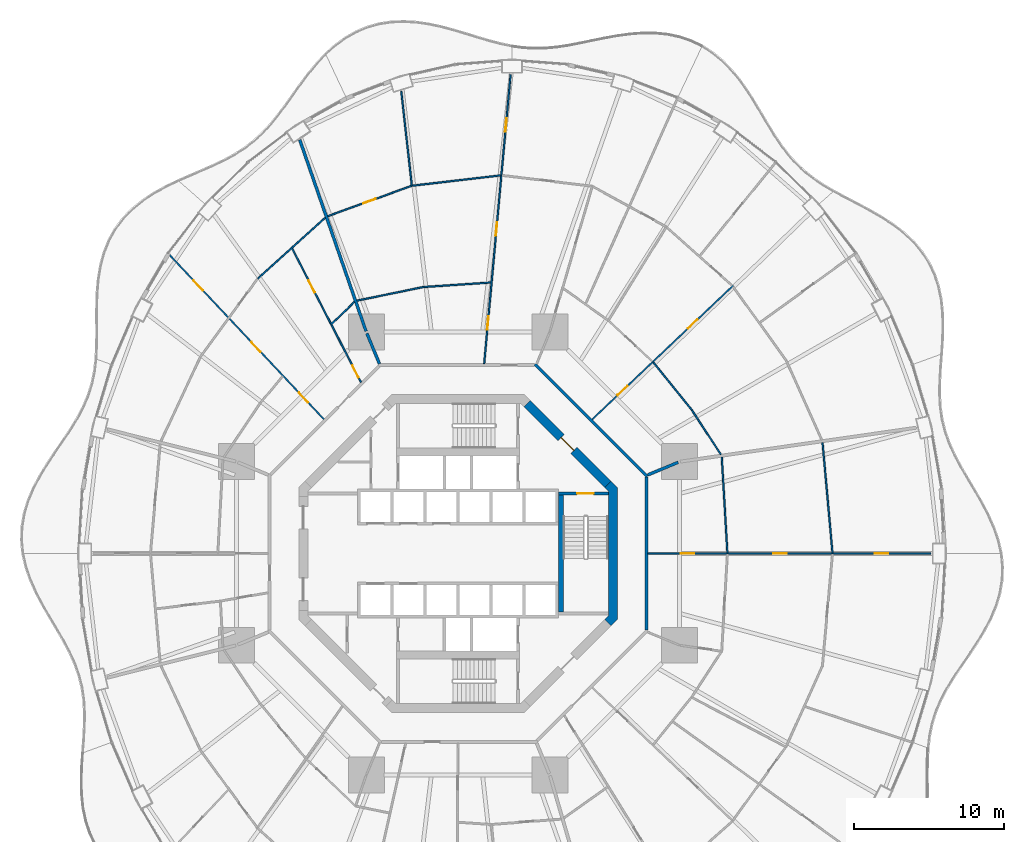
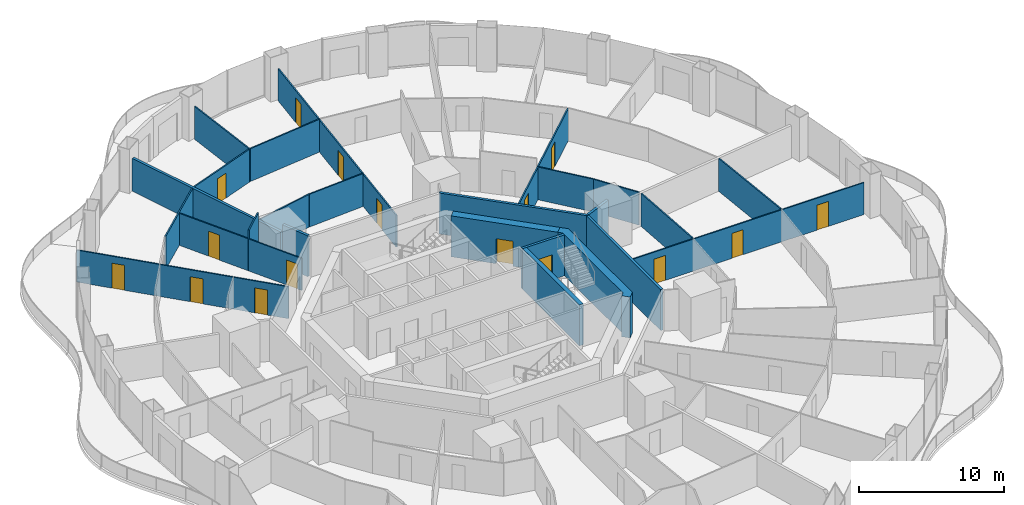
# One storey, part 18 of 23: 25 walls, 16 doors, 16 openings.
"""IFC4 building model written with IfcOpenShell, lengths in metres."""

import ifcopenshell
import ifcopenshell.guid

model = None  # the IFC model being written
_history = None  # IfcOwnerHistory: only IFC2X3 demands one
_inside = {}  # id of a spatial element -> (the spatial element, [elements in it])
_under = {}  # id of a project, library or spatial element -> (it, [spatial elements below it])
_declared = {}  # id of a project -> (the project, [libraries it declares])
_typed = {}  # id of a type object -> (the type object, [elements of that type])
_made_of = {}  # id of a material, layer set ... -> (it, [elements and type objects made of it])


def new_model(schema):
    """Start an empty IFC model of exactly this schema.

    Asked for "IFC4X3", IfcOpenShell would pick the latest addendum, in which some entities
    have other attributes; the version numbers below select the first issue.
    IFC2X3 requires an IfcOwnerHistory on every rooted entity: one is made here for all.
    """
    global model, _history
    if schema == "IFC4X3":
        model = ifcopenshell.file(schema_version=(4, 3, 0, 0))
    else:
        model = ifcopenshell.file(schema=schema)
    _inside.clear()
    _under.clear()
    _declared.clear()
    _typed.clear()
    _made_of.clear()
    _history = None
    if model.schema == "IFC2X3":
        org = make("IfcOrganization", Name="unknown")
        user = make(
            "IfcPersonAndOrganization",
            ThePerson=make("IfcPerson", FamilyName="unknown"),
            TheOrganization=org,
        )
        app = make(
            "IfcApplication",
            ApplicationDeveloper=org,
            Version="unknown",
            ApplicationFullName="unknown",
            ApplicationIdentifier="unknown",
        )
        _history = make(
            "IfcOwnerHistory",
            OwningUser=user,
            OwningApplication=app,
            ChangeAction="ADDED",
            CreationDate=0,
        )
    return model


def make(cls, **values):
    """One entity of the class cls with the attributes given. An attribute that is None is left unset."""
    return model.create_entity(
        cls, **{name: value for name, value in values.items() if value is not None}
    )


def rooted(cls, **values):
    """An entity with a GlobalId (a new one), such as an element, a storey or a relation."""
    return make(cls, GlobalId=ifcopenshell.guid.new(), OwnerHistory=_history, **values)


def si_unit(unit_type, name, prefix=None):
    """IfcSIUnit, for example si_unit("LENGTHUNIT", "METRE", prefix="MILLI")."""
    return make("IfcSIUnit", UnitType=unit_type, Prefix=prefix, Name=name)


def assignment(units):
    """IfcUnitAssignment: the units of a project."""
    return None if units is None else make("IfcUnitAssignment", Units=units)


def point(xyz):
    """IfcCartesianPoint."""
    return None if xyz is None else make("IfcCartesianPoint", Coordinates=xyz)


def direction(xyz):
    """IfcDirection."""
    return None if xyz is None else make("IfcDirection", DirectionRatios=xyz)


def frame(location, z_axis=None, x_axis=None):
    """IfcAxis2Placement3D, a coordinate frame: its origin and axes. An axis left out is left unset."""
    return make(
        "IfcAxis2Placement3D",
        Location=point(location),
        Axis=direction(z_axis),
        RefDirection=direction(x_axis),
    )


def frame_2d(location, x_axis=None):
    """IfcAxis2Placement2D, a coordinate frame in the plane: its origin and x axis."""
    return make(
        "IfcAxis2Placement2D", Location=point(location), RefDirection=direction(x_axis)
    )


def origin():
    """The frame at (0, 0, 0) with its axes left unset."""
    return frame((0.0, 0.0, 0.0))


def place(relative_to, where):
    """IfcLocalPlacement: puts the frame where relative to a parent placement (None: the world)."""
    return make(
        "IfcLocalPlacement", PlacementRelTo=relative_to, RelativePlacement=where
    )


def context(
    kind, dimensions, precision=None, world=None, true_north=None, identifier=None
):
    """IfcGeometricRepresentationContext, for example the 3D "Model" context."""
    return make(
        "IfcGeometricRepresentationContext",
        ContextIdentifier=identifier,
        ContextType=kind,
        CoordinateSpaceDimension=dimensions,
        Precision=precision,
        WorldCoordinateSystem=world,
        TrueNorth=true_north,
    )


def subcontext(parent, identifier, kind, view, scale=None):
    """IfcGeometricRepresentationSubContext, for example "Body" below "Model"."""
    return make(
        "IfcGeometricRepresentationSubContext",
        ContextIdentifier=identifier,
        ContextType=kind,
        ParentContext=parent,
        TargetScale=scale,
        TargetView=view,
    )


def project(units=None, contexts=None):
    """IfcProject with its units and contexts."""
    return rooted(
        "IfcProject",
        Name="project",
        RepresentationContexts=contexts,
        UnitsInContext=assignment(units),
    )


def spatial(cls, under=None, at=None, **own):
    """A site, building, storey or space (cls), placed at a placement, below another one or the project."""
    s = rooted(cls, ObjectPlacement=at, **own)
    if under is not None:
        _under.setdefault(under.id(), (under, []))[1].append(s)
    return s


def polyline(points):
    """IfcPolyline through the points."""
    return make("IfcPolyline", Points=[point(p) for p in points])


def profile(cls, at=None, kind="AREA", **sizes):
    """A parametric profile (cls). Its sizes go by their IFC names, for example OverallWidth=200.0."""
    return make(cls, ProfileType=kind, Position=at, **sizes)


def rectangle(**sizes):
    """IfcRectangleProfileDef."""
    return profile("IfcRectangleProfileDef", **sizes)


def outline(outer, holes=None, kind="AREA"):
    """IfcArbitraryClosedProfileDef: a profile drawn as a closed curve; with holes, ...WithVoids."""
    if holes is None:
        return make("IfcArbitraryClosedProfileDef", ProfileType=kind, OuterCurve=outer)
    return make(
        "IfcArbitraryProfileDefWithVoids",
        ProfileType=kind,
        OuterCurve=outer,
        InnerCurves=holes,
    )


def extrude(swept, where, along, depth):
    """IfcExtrudedAreaSolid: the profile swept, set in the frame where, extruded along a direction by depth."""
    return make(
        "IfcExtrudedAreaSolid",
        SweptArea=swept,
        Position=where,
        ExtrudedDirection=direction(along),
        Depth=depth,
    )


def shape(context_of_items, identifier, shape_type, items):
    """IfcShapeRepresentation: the items that make up one representation, for example the "Body"."""
    return make(
        "IfcShapeRepresentation",
        ContextOfItems=context_of_items,
        RepresentationIdentifier=identifier,
        RepresentationType=shape_type,
        Items=items,
    )


def material(Name=None, Category=None):
    """IfcMaterial."""
    return make("IfcMaterial", Name=Name, Category=Category)


def layer(
    of_material, thickness, ventilated=None, Name=None, Category=None, Priority=None
):
    """IfcMaterialLayer: one layer of a wall or slab, of a material (None: an air gap)."""
    return make(
        "IfcMaterialLayer",
        Material=of_material,
        LayerThickness=thickness,
        IsVentilated=ventilated,
        Name=Name,
        Category=Category,
        Priority=Priority,
    )


def layer_set(layers, Name=None):
    """IfcMaterialLayerSet."""
    return make("IfcMaterialLayerSet", MaterialLayers=layers, LayerSetName=Name)


def made_of(thing, what):
    """Note that an element or type object is made of a material, layer set ...; save() writes the relation."""
    if what is not None:
        _made_of.setdefault(what.id(), (what, []))[1].append(thing)
    return thing


def type_object(cls, material=None, **own):
    """A type object (cls), such as IfcWallType, which elements share."""
    return made_of(rooted(cls, **own), material)


def element(
    cls,
    number,
    at=None,
    inside=None,
    cuts=None,
    type_object=None,
    material=None,
    context=None,
    identifier="Body",
    shape_type=None,
    held_by="IfcProductDefinitionShape",
    body=None,
    shapes=None,
    **own,
):
    """One element of the class cls, such as IfcWall. Its Tag is "e" and its number.

    at: its placement. inside: the storey or other place that contains it. cuts: it is an
    opening in that element (IfcRelVoidsElement). A single representation is given by context,
    identifier, shape_type and body (its items); several are given by shapes. held_by: the class
    of the entity that holds the representations. save() writes the other relations.
    """
    e = rooted(cls, Tag="e%d" % number, ObjectPlacement=at, **own)
    if body is not None:
        shapes = [shape(context, identifier, shape_type, body)]
    if shapes is not None:
        e.Representation = make(held_by, Representations=shapes)
    if inside is not None:
        _inside.setdefault(inside.id(), (inside, []))[1].append(e)
    if cuts is not None:
        rooted(
            "IfcRelVoidsElement", RelatingBuildingElement=cuts, RelatedOpeningElement=e
        )
    if type_object is not None:
        _typed.setdefault(type_object.id(), (type_object, []))[1].append(e)
    return made_of(e, material)


def fill(opening, filler):
    """IfcRelFillsElement: the door or window that sits in an opening."""
    return rooted(
        "IfcRelFillsElement",
        RelatingOpeningElement=opening,
        RelatedBuildingElement=filler,
    )


def aggregate(whole, parts):
    """IfcRelAggregates: a whole, such as a stair, and the parts it consists of."""
    return rooted("IfcRelAggregates", RelatingObject=whole, RelatedObjects=parts)


def save(model, path):
    """Write the relations noted so far, then the file.

    IfcRelAggregates (storeys below a building ...), IfcRelContainedInSpatialStructure (elements
    in a storey), IfcRelDefinesByType, IfcRelAssociatesMaterial and IfcRelDeclares: one each for
    every whole, place, type object, material and project.
    """
    for whole, parts in _under.values():
        aggregate(whole, parts)
    for where, things in _inside.values():
        rooted(
            "IfcRelContainedInSpatialStructure",
            RelatedElements=things,
            RelatingStructure=where,
        )
    for kind, things in _typed.values():
        rooted("IfcRelDefinesByType", RelatedObjects=things, RelatingType=kind)
    for what, things in _made_of.values():
        rooted("IfcRelAssociatesMaterial", RelatedObjects=things, RelatingMaterial=what)
    for by, libraries in _declared.values():
        rooted("IfcRelDeclares", RelatingContext=by, RelatedDefinitions=libraries)
    model.write(path)


model = new_model("IFC4")

# Units and contexts
model_context = context("Model", 3, precision=1e-05, world=origin(), true_north=direction((0.0, 1.0)))
body_context = subcontext(model_context, "Body", "Model", "MODEL_VIEW")
ifc_project = project(units=[si_unit("LENGTHUNIT", "METRE"), si_unit("AREAUNIT", "SQUARE_METRE"), si_unit("VOLUMEUNIT", "CUBIC_METRE"), si_unit("PLANEANGLEUNIT", "RADIAN"), si_unit("MASSUNIT", "GRAM", prefix="KILO")], contexts=[model_context])

# Site, building, storey
site_placement = place(None, origin())
site = spatial("IfcSite", under=ifc_project, at=site_placement, CompositionType="ELEMENT")
building_placement = place(site_placement, origin())
building = spatial("IfcBuilding", under=site, at=building_placement, Name="Nagisa Residences", CompositionType="ELEMENT")
storey_placement = place(building_placement, frame((0.0, 0.0, 56.60009765625)))
storey = spatial("IfcBuildingStorey", under=building, at=storey_placement, Name="L13", CompositionType="ELEMENT", Elevation=56.60009765625)

# Walls
ifc_material_1 = material(Name="Gypsum board on steel studs", Category="steel")
ifc_layer_1 = layer(ifc_material_1, 0.199951171875)
ifc_layer_set_1 = layer_set([ifc_layer_1], Name="Apartment compartment wall EI60 200")
wall_type_1 = type_object("IfcWallType", Name="Apartment compartment wall EI60 200", PredefinedType="PARTITIONING", material=ifc_layer_set_1)
wall_1_placement = place(storey_placement, frame((12.6572265625, 5.24267578125, 0.0), z_axis=(0.0, 0.0, 1.0), x_axis=(0.923853160736, 0.382747093259, 0.0)))
element("IfcWall", 1, at=wall_1_placement, inside=storey, type_object=wall_type_1, Name="wall:L13:u00", PredefinedType="PARTITIONING", context=body_context, shape_type="SweptSolid", body=[
    extrude(rectangle(XDim=2.199951171875, YDim=0.199951171875, at=frame_2d((1.10009765625, 0.0))), origin(), (0.0, 0.0, 1.0), 3.43994140625),
])
wall_2_placement = place(storey_placement, frame((-5.24267578125, 12.6572265625, 0.0), z_axis=(0.0, 0.0, 1.0), x_axis=(-0.382668627144, 0.923885664896, 0.0)))
element("IfcWall", 2, at=wall_2_placement, inside=storey, type_object=wall_type_1, Name="wall:L13:u02", PredefinedType="PARTITIONING", context=body_context, shape_type="SweptSolid", body=[
    extrude(rectangle(XDim=2.200439453125, YDim=0.199951171875, at=frame_2d((1.10009765625, 0.0))), origin(), (0.0, 0.0, 1.0), 3.43994140625),
])
wall_3_placement = place(storey_placement, frame((-6.139404296875, 14.829345703125, 0.0), z_axis=(0.0, 0.0, 1.0), x_axis=(-0.327178799566, 0.944962450637, 0.0)))
element("IfcWall", 3, at=wall_3_placement, inside=storey, type_object=wall_type_1, Name="wall:L13:u03", PredefinedType="PARTITIONING", context=body_context, shape_type="SweptSolid", body=[
    extrude(rectangle(XDim=13.517333984375, YDim=0.199951171875, at=frame_2d((6.7587890625, 0.0))), origin(), (0.0, 0.0, 1.0), 2.755859375),
])
ifc_material_2 = material(Name="Gypsum board on steel studs", Category="steel")
ifc_layer_2 = layer(ifc_material_2, 0.199951171875)
ifc_layer_set_2 = layer_set([ifc_layer_2], Name="Apartment entry wall EI60 200")
wall_type_2 = type_object("IfcWallType", Name="Apartment entry wall EI60 200", PredefinedType="PARTITIONING", material=ifc_layer_set_2)
wall_4_placement = place(storey_placement, frame((12.564697265625, -5.1044921875, 0.0), z_axis=(0.0, 0.0, 1.0), x_axis=(0.0, 1.0, 0.0)))
element("IfcWall", 4, at=wall_4_placement, inside=storey, type_object=wall_type_2, Name="wall:L13:u10", PredefinedType="PARTITIONING", context=body_context, shape_type="SweptSolid", body=[
    extrude(rectangle(XDim=10.208984375, YDim=0.199951171875, at=frame_2d((5.1044921875, 0.0))), origin(), (0.0, 0.0, 1.0), 3.43994140625),
])
wall_5_placement = place(storey_placement, frame((12.635498046875, 5.1337890625, 0.0), z_axis=(0.0, 0.0, 1.0), x_axis=(-0.707106781187, 0.707106781187, 0.0)))
element("IfcWall", 5, at=wall_5_placement, inside=storey, type_object=wall_type_2, Name="wall:L13:u11", PredefinedType="PARTITIONING", context=body_context, shape_type="SweptSolid", body=[
    extrude(rectangle(XDim=10.609130859375, YDim=0.199951171875, at=frame_2d((5.3046875, 0.0))), origin(), (0.0, 0.0, 1.0), 3.43994140625),
])

# Wall, openings, doors
ifc_material_3 = material(Name="Gypsum board on steel studs", Category="steel")
ifc_layer_3 = layer(ifc_material_3, 0.10009765625)
ifc_layer_set_3 = layer_set([ifc_layer_3], Name="Apartment partition 100")
wall_type_3 = type_object("IfcWallType", Name="Apartment partition 100", PredefinedType="PARTITIONING", material=ifc_layer_set_3)
wall_6_placement = place(storey_placement, frame((12.664794921875, 0.0, 0.0), z_axis=(0.0, 0.0, 1.0), x_axis=(1.0, 0.0, 0.0)))
wall_6 = element("IfcWall", 6, at=wall_6_placement, inside=storey, type_object=wall_type_3, Name="wall:L13:u18", PredefinedType="PARTITIONING", context=body_context, shape_type="SweptSolid", body=[
    extrude(rectangle(XDim=18.88525390625, YDim=0.10009765625, at=frame_2d((9.442626953125, 0.0))), origin(), (0.0, 0.0, 1.0), 2.68701171875),
])
opening_1_placement = place(wall_6_placement, frame((2.204833984375, 0.0, 0.0)))
opening_1 = element("IfcOpeningElement", 7, at=opening_1_placement, cuts=wall_6, Name="Opening L13-U32", PredefinedType="OPENING", context=body_context, shape_type="SweptSolid", body=[
    extrude(rectangle(XDim=0.89990234375, YDim=2.10009765625, at=frame_2d((0.449951171875, 1.050048828125))), frame((0.0, 0.06005859375, 0.0), z_axis=(0.0, -1.0, 0.0), x_axis=(1.0, 0.0, 0.0)), (0.0, 0.0, 1.0), 0.1201171875),
])
opening_2_placement = place(wall_6_placement, frame((8.36572265625, 0.0, 0.0)))
opening_2 = element("IfcOpeningElement", 8, at=opening_2_placement, cuts=wall_6, Name="Opening L13-U36", PredefinedType="OPENING", context=body_context, shape_type="SweptSolid", body=[
    extrude(rectangle(XDim=0.89990234375, YDim=2.10009765625, at=frame_2d((0.449951171875, 1.050048828125))), frame((0.0, 0.06005859375, 0.0), z_axis=(0.0, -1.0, 0.0), x_axis=(1.0, 0.0, 0.0)), (0.0, 0.0, 1.0), 0.1201171875),
])
opening_3_placement = place(wall_6_placement, frame((15.153564453125, 0.0, 0.0)))
opening_3 = element("IfcOpeningElement", 9, at=opening_3_placement, cuts=wall_6, Name="Opening L13-U41", PredefinedType="OPENING", context=body_context, shape_type="SweptSolid", body=[
    extrude(rectangle(XDim=0.89990234375, YDim=2.10009765625, at=frame_2d((0.449951171875, 1.050048828125))), frame((0.0, 0.06005859375, 0.0), z_axis=(0.0, -1.0, 0.0), x_axis=(1.0, 0.0, 0.0)), (0.0, 0.0, 1.0), 0.1201171875),
])
ifc_material_4 = material(Name="Timber door set", Category="wood")
door_type_1 = type_object("IfcDoorType", Name="Apartment door 900x2100", OperationType="NOTDEFINED", PredefinedType="DOOR", material=ifc_material_4)
door_1_placement = place(opening_1_placement, origin())
door_1 = element("IfcDoor", 10, at=door_1_placement, inside=storey, type_object=door_type_1, Name="Door to store, Apartment 13D", OperationType="SINGLE_SWING_RIGHT", OverallHeight=2.10009765625, OverallWidth=0.89990234375, PredefinedType="DOOR", context=body_context, shape_type="SweptSolid", body=[
    extrude(rectangle(XDim=0.89990234375, YDim=2.10009765625, at=frame_2d((0.449951171875, 1.050048828125))), frame((0.0, 0.02490234375, 0.0), z_axis=(0.0, -1.0, 0.0), x_axis=(1.0, 0.0, 0.0)), (0.0, 0.0, 1.0), 0.050048828125),
])
fill(opening_1, door_1)
door_2_placement = place(opening_2_placement, origin())
door_2 = element("IfcDoor", 11, at=door_2_placement, inside=storey, type_object=door_type_1, Name="Door to family room, Apartment 13D", OperationType="SINGLE_SWING_RIGHT", OverallHeight=2.10009765625, OverallWidth=0.89990234375, PredefinedType="DOOR", context=body_context, shape_type="SweptSolid", body=[
    extrude(rectangle(XDim=0.89990234375, YDim=2.10009765625, at=frame_2d((0.449951171875, 1.050048828125))), frame((0.0, 0.02490234375, 0.0), z_axis=(0.0, -1.0, 0.0), x_axis=(1.0, 0.0, 0.0)), (0.0, 0.0, 1.0), 0.050048828125),
])
fill(opening_2, door_2)
door_3_placement = place(opening_3_placement, origin())
door_3 = element("IfcDoor", 12, at=door_3_placement, inside=storey, type_object=door_type_1, Name="Door to family room, Apartment 13D", OperationType="SINGLE_SWING_LEFT", OverallHeight=2.10009765625, OverallWidth=0.89990234375, PredefinedType="DOOR", context=body_context, shape_type="SweptSolid", body=[
    extrude(rectangle(XDim=0.89990234375, YDim=2.10009765625, at=frame_2d((0.449951171875, 1.050048828125))), frame((0.0, 0.02490234375, 0.0), z_axis=(0.0, -1.0, 0.0), x_axis=(1.0, 0.0, 0.0)), (0.0, 0.0, 1.0), 0.050048828125),
])
fill(opening_3, door_3)

# Walls
wall_7_placement = place(storey_placement, frame((17.971435546875, 0.0498046875, 0.0), z_axis=(0.0, 0.0, 1.0), x_axis=(-0.058513659907, 0.998286607946, 0.0)))
element("IfcWall", 13, at=wall_7_placement, inside=storey, type_object=wall_type_3, Name="wall:L13:u19", PredefinedType="PARTITIONING", context=body_context, shape_type="SweptSolid", body=[
    extrude(rectangle(XDim=6.387939453125, YDim=0.10009765625, at=frame_2d((3.19384765625, 0.0))), origin(), (0.0, 0.0, 1.0), 2.755859375),
])
wall_8_placement = place(storey_placement, frame((24.982177734375, 0.0498046875, 0.0), z_axis=(0.0, 0.0, 1.0), x_axis=(-0.08944290521, 0.995991951126, 0.0)))
element("IfcWall", 14, at=wall_8_placement, inside=storey, type_object=wall_type_3, Name="wall:L13:u21", PredefinedType="PARTITIONING", context=body_context, shape_type="SweptSolid", body=[
    extrude(rectangle(XDim=7.37255859375, YDim=0.10009765625, at=frame_2d((3.686279296875, 0.0))), origin(), (0.0, 0.0, 1.0), 2.755859375),
])
wall_9_placement = place(storey_placement, frame((17.537109375, 6.6103515625, 0.0), z_axis=(0.0, 0.0, 1.0), x_axis=(-0.547637987196, 0.836715384692, 0.0)))
element("IfcWall", 15, at=wall_9_placement, inside=storey, type_object=wall_type_3, Name="wall:L13:u23", PredefinedType="PARTITIONING", context=body_context, shape_type="SweptSolid", body=[
    extrude(rectangle(XDim=3.52001953125, YDim=0.10009765625, at=frame_2d((1.760009765625, 0.0))), origin(), (0.0, 0.0, 1.0), 2.755859375),
])
wall_10_placement = place(storey_placement, frame((15.613525390625, 9.55859375, 0.0), z_axis=(0.0, 0.0, 1.0), x_axis=(-0.63012473344, 0.776493928056, 0.0)))
element("IfcWall", 16, at=wall_10_placement, inside=storey, type_object=wall_type_3, Name="wall:L13:u25", PredefinedType="PARTITIONING", context=body_context, shape_type="SweptSolid", body=[
    extrude(rectangle(XDim=4.1064453125, YDim=0.10009765625, at=frame_2d((2.05322265625, 0.0))), origin(), (0.0, 0.0, 1.0), 2.755859375),
])

# Wall, openings, doors
wall_11_placement = place(storey_placement, frame((8.95703125, 8.953369140625, 0.0), z_axis=(0.0, 0.0, 1.0), x_axis=(0.725250022034, 0.688485588476, 0.0)))
wall_11 = element("IfcWall", 17, at=wall_11_placement, inside=storey, type_object=wall_type_3, Name="wall:L13:u28", PredefinedType="PARTITIONING", context=body_context, shape_type="SweptSolid", body=[
    extrude(rectangle(XDim=12.962646484375, YDim=0.10009765625, at=frame_2d((6.4814453125, 0.0))), origin(), (0.0, 0.0, 1.0), 2.68701171875),
])
opening_4_placement = place(wall_11_placement, frame((2.33349609375, 0.0, 0.0)))
opening_4 = element("IfcOpeningElement", 18, at=opening_4_placement, cuts=wall_11, Name="Opening L13-U54", PredefinedType="OPENING", context=body_context, shape_type="SweptSolid", body=[
    extrude(rectangle(XDim=0.89990234375, YDim=2.10009765625, at=frame_2d((0.449951171875, 1.050048828125))), frame((0.0, 0.06005859375, 0.0), z_axis=(0.0, -1.0, 0.0), x_axis=(1.0, 0.0, 0.0)), (0.0, 0.0, 1.0), 0.1201171875),
])
opening_5_placement = place(wall_11_placement, frame((8.78955078125, 0.0, 0.0)))
opening_5 = element("IfcOpeningElement", 19, at=opening_5_placement, cuts=wall_11, Name="Opening L13-U55", PredefinedType="OPENING", context=body_context, shape_type="SweptSolid", body=[
    extrude(rectangle(XDim=0.89990234375, YDim=2.10009765625, at=frame_2d((0.449951171875, 1.050048828125))), frame((0.0, 0.06005859375, 0.0), z_axis=(0.0, -1.0, 0.0), x_axis=(1.0, 0.0, 0.0)), (0.0, 0.0, 1.0), 0.1201171875),
])
door_4_placement = place(opening_4_placement, frame((0.89990234375, 0.0, 0.0), x_axis=(-1.0, 0.0, 0.0)))
door_4 = element("IfcDoor", 20, at=door_4_placement, inside=storey, type_object=door_type_1, Name="Door to laundry, Apartment 13E", OperationType="SINGLE_SWING_LEFT", OverallHeight=2.10009765625, OverallWidth=0.89990234375, PredefinedType="DOOR", context=body_context, shape_type="SweptSolid", body=[
    extrude(rectangle(XDim=0.89990234375, YDim=2.10009765625, at=frame_2d((0.449951171875, 1.050048828125))), frame((0.0, 0.02490234375, 0.0), z_axis=(0.0, -1.0, 0.0), x_axis=(1.0, 0.0, 0.0)), (0.0, 0.0, 1.0), 0.050048828125),
])
fill(opening_4, door_4)
door_5_placement = place(opening_5_placement, frame((0.89990234375, 0.0, 0.0), x_axis=(-1.0, 0.0, 0.0)))
door_5 = element("IfcDoor", 21, at=door_5_placement, inside=storey, type_object=door_type_1, Name="Door to dining room, Apartment 13E", OperationType="SINGLE_SWING_RIGHT", OverallHeight=2.10009765625, OverallWidth=0.89990234375, PredefinedType="DOOR", context=body_context, shape_type="SweptSolid", body=[
    extrude(rectangle(XDim=0.89990234375, YDim=2.10009765625, at=frame_2d((0.449951171875, 1.050048828125))), frame((0.0, 0.02490234375, 0.0), z_axis=(0.0, -1.0, 0.0), x_axis=(1.0, 0.0, 0.0)), (0.0, 0.0, 1.0), 0.050048828125),
])
fill(opening_5, door_5)

wall_12_placement = place(storey_placement, frame((1.743896484375, 12.664306640625, 0.0), z_axis=(0.0, 0.0, 1.0), x_axis=(0.090893639596, 0.995860605849, 0.0)))
wall_12 = element("IfcWall", 22, at=wall_12_placement, inside=storey, type_object=wall_type_3, Name="wall:L13:u39", PredefinedType="PARTITIONING", context=body_context, shape_type="SweptSolid", body=[
    extrude(rectangle(XDim=19.3740234375, YDim=0.10009765625, at=frame_2d((9.68701171875, 0.0))), origin(), (0.0, 0.0, 1.0), 2.68701171875),
])
opening_6_placement = place(wall_12_placement, frame((2.270263671875, 0.0, 0.0)))
opening_6 = element("IfcOpeningElement", 23, at=opening_6_placement, cuts=wall_12, Name="Opening L13-U45", PredefinedType="OPENING", context=body_context, shape_type="SweptSolid", body=[
    extrude(rectangle(XDim=0.89990234375, YDim=2.10009765625, at=frame_2d((0.449951171875, 1.050048828125))), frame((0.0, 0.06005859375, 0.0), z_axis=(0.0, -1.0, 0.0), x_axis=(1.0, 0.0, 0.0)), (0.0, 0.0, 1.0), 0.1201171875),
])
opening_7_placement = place(wall_12_placement, frame((8.58154296875, 0.0, 0.0)))
opening_7 = element("IfcOpeningElement", 24, at=opening_7_placement, cuts=wall_12, Name="Opening L13-U48", PredefinedType="OPENING", context=body_context, shape_type="SweptSolid", body=[
    extrude(rectangle(XDim=0.89990234375, YDim=2.10009765625, at=frame_2d((0.449951171875, 1.050048828125))), frame((0.0, 0.06005859375, 0.0), z_axis=(0.0, -1.0, 0.0), x_axis=(1.0, 0.0, 0.0)), (0.0, 0.0, 1.0), 0.1201171875),
])
opening_8_placement = place(wall_12_placement, frame((15.54833984375, 0.0, 0.0)))
opening_8 = element("IfcOpeningElement", 25, at=opening_8_placement, cuts=wall_12, Name="Opening L13-U52", PredefinedType="OPENING", context=body_context, shape_type="SweptSolid", body=[
    extrude(rectangle(XDim=0.89990234375, YDim=2.10009765625, at=frame_2d((0.449951171875, 1.050048828125))), frame((0.0, 0.06005859375, 0.0), z_axis=(0.0, -1.0, 0.0), x_axis=(1.0, 0.0, 0.0)), (0.0, 0.0, 1.0), 0.1201171875),
])
door_6_placement = place(opening_6_placement, origin())
door_6 = element("IfcDoor", 26, at=door_6_placement, inside=storey, type_object=door_type_1, Name="Door to store, Apartment 13E", OperationType="SINGLE_SWING_LEFT", OverallHeight=2.10009765625, OverallWidth=0.89990234375, PredefinedType="DOOR", context=body_context, shape_type="SweptSolid", body=[
    extrude(rectangle(XDim=0.89990234375, YDim=2.10009765625, at=frame_2d((0.449951171875, 1.050048828125))), frame((0.0, 0.02490234375, 0.0), z_axis=(0.0, -1.0, 0.0), x_axis=(1.0, 0.0, 0.0)), (0.0, 0.0, 1.0), 0.050048828125),
])
fill(opening_6, door_6)
door_7_placement = place(opening_7_placement, origin())
door_7 = element("IfcDoor", 27, at=door_7_placement, inside=storey, type_object=door_type_1, Name="Door to dining room, Apartment 13E", OperationType="SINGLE_SWING_RIGHT", OverallHeight=2.10009765625, OverallWidth=0.89990234375, PredefinedType="DOOR", context=body_context, shape_type="SweptSolid", body=[
    extrude(rectangle(XDim=0.89990234375, YDim=2.10009765625, at=frame_2d((0.449951171875, 1.050048828125))), frame((0.0, 0.02490234375, 0.0), z_axis=(0.0, -1.0, 0.0), x_axis=(1.0, 0.0, 0.0)), (0.0, 0.0, 1.0), 0.050048828125),
])
fill(opening_7, door_7)
door_8_placement = place(opening_8_placement, origin())
door_8 = element("IfcDoor", 28, at=door_8_placement, inside=storey, type_object=door_type_1, Name="Door to master bedroom, Apartment 13E", OperationType="SINGLE_SWING_RIGHT", OverallHeight=2.10009765625, OverallWidth=0.89990234375, PredefinedType="DOOR", context=body_context, shape_type="SweptSolid", body=[
    extrude(rectangle(XDim=0.89990234375, YDim=2.10009765625, at=frame_2d((0.449951171875, 1.050048828125))), frame((0.0, 0.02490234375, 0.0), z_axis=(0.0, -1.0, 0.0), x_axis=(1.0, 0.0, 0.0)), (0.0, 0.0, 1.0), 0.050048828125),
])
fill(opening_8, door_8)

# Walls
wall_13_placement = place(storey_placement, frame((2.1884765625, 18.078857421875, 0.0), z_axis=(0.0, 0.0, 1.0), x_axis=(-0.997791437766, -0.066424744789, 0.0)))
element("IfcWall", 29, at=wall_13_placement, inside=storey, type_object=wall_type_3, Name="wall:L13:u40", PredefinedType="PARTITIONING", context=body_context, shape_type="SweptSolid", body=[
    extrude(rectangle(XDim=4.46923828125, YDim=0.10009765625, at=frame_2d((2.234619140625, 0.0))), origin(), (0.0, 0.0, 1.0), 2.755859375),
])
wall_14_placement = place(storey_placement, frame((2.841552734375, 25.228759765625, 0.0), z_axis=(0.0, 0.0, 1.0), x_axis=(-0.993255612046, -0.115945198862, 0.0)))
element("IfcWall", 30, at=wall_14_placement, inside=storey, type_object=wall_type_3, Name="wall:L13:u41", PredefinedType="PARTITIONING", context=body_context, shape_type="SweptSolid", body=[
    extrude(rectangle(XDim=5.91259765625, YDim=0.10009765625, at=frame_2d((2.956298828125, 0.0))), origin(), (0.0, 0.0, 1.0), 2.755859375),
])
wall_15_placement = place(storey_placement, frame((-2.27197265625, 17.788818359375, 0.0), z_axis=(0.0, 0.0, 1.0), x_axis=(-0.979595137747, -0.200981009307, 0.0)))
element("IfcWall", 31, at=wall_15_placement, inside=storey, type_object=wall_type_3, Name="wall:L13:u42", PredefinedType="PARTITIONING", context=body_context, shape_type="SweptSolid", body=[
    extrude(rectangle(XDim=4.5625, YDim=0.10009765625, at=frame_2d((2.28125, 0.0))), origin(), (0.0, 0.0, 1.0), 2.755859375),
])
wall_16_placement = place(storey_placement, frame((-3.0751953125, 24.48779296875, 0.0), z_axis=(0.0, 0.0, 1.0), x_axis=(-0.111705235978, 0.993741384997, 0.0)))
element("IfcWall", 32, at=wall_16_placement, inside=storey, type_object=wall_type_3, Name="wall:L13:u43", PredefinedType="PARTITIONING", context=body_context, shape_type="SweptSolid", body=[
    extrude(rectangle(XDim=6.39501953125, YDim=0.10009765625, at=frame_2d((3.197509765625, 0.0))), origin(), (0.0, 0.0, 1.0), 2.755859375),
])

# Wall, opening, door
wall_17_placement = place(storey_placement, frame((-3.1279296875, 24.5205078125, 0.0), z_axis=(0.0, 0.0, 1.0), x_axis=(-0.940401494588, -0.340066212636, 0.0)))
wall_17 = element("IfcWall", 33, at=wall_17_placement, inside=storey, type_object=wall_type_3, Name="wall:L13:u44", PredefinedType="PARTITIONING", context=body_context, shape_type="SweptSolid", body=[
    extrude(rectangle(XDim=5.9169921875, YDim=0.10009765625, at=frame_2d((2.95849609375, 0.0))), origin(), (0.0, 0.0, 1.0), 2.755859375),
])
opening_9_placement = place(wall_17_placement, frame((2.508544921875, 0.0, 0.0)))
opening_9 = element("IfcOpeningElement", 34, at=opening_9_placement, cuts=wall_17, Name="Opening L13-U53", PredefinedType="OPENING", context=body_context, shape_type="SweptSolid", body=[
    extrude(rectangle(XDim=0.89990234375, YDim=2.10009765625, at=frame_2d((0.449951171875, 1.050048828125))), frame((0.0, 0.06005859375, 0.0), z_axis=(0.0, -1.0, 0.0), x_axis=(1.0, 0.0, 0.0)), (0.0, 0.0, 1.0), 0.1201171875),
])
door_9_placement = place(opening_9_placement, frame((0.89990234375, 0.0, 0.0), x_axis=(-1.0, 0.0, 0.0)))
door_9 = element("IfcDoor", 35, at=door_9_placement, inside=storey, type_object=door_type_1, Name="Door to living room, Apartment 13E", OperationType="SINGLE_SWING_RIGHT", OverallHeight=2.10009765625, OverallWidth=0.89990234375, PredefinedType="DOOR", context=body_context, shape_type="SweptSolid", body=[
    extrude(rectangle(XDim=0.89990234375, YDim=2.10009765625, at=frame_2d((0.449951171875, 1.050048828125))), frame((0.0, 0.02490234375, 0.0), z_axis=(0.0, -1.0, 0.0), x_axis=(1.0, 0.0, 0.0)), (0.0, 0.0, 1.0), 0.050048828125),
])
fill(opening_9, door_9)

# Walls
wall_18_placement = place(storey_placement, frame((-6.911865234375, 16.782470703125, 0.0), z_axis=(0.0, 0.0, 1.0), x_axis=(-0.722789289931, -0.691068478778, 0.0)))
element("IfcWall", 36, at=wall_18_placement, inside=storey, type_object=wall_type_3, Name="wall:L13:u45", PredefinedType="PARTITIONING", context=body_context, shape_type="SweptSolid", body=[
    extrude(rectangle(XDim=2.193603515625, YDim=0.10009765625, at=frame_2d((1.0966796875, 0.0))), origin(), (0.0, 0.0, 1.0), 3.43994140625),
])
wall_19_placement = place(storey_placement, frame((-8.860595703125, 22.4072265625, 0.0), z_axis=(0.0, 0.0, 1.0), x_axis=(-0.741713303551, -0.670717060567, 0.0)))
element("IfcWall", 37, at=wall_19_placement, inside=storey, type_object=wall_type_3, Name="wall:L13:u46", PredefinedType="PARTITIONING", context=body_context, shape_type="SweptSolid", body=[
    extrude(rectangle(XDim=6.05908203125, YDim=0.10009765625, at=frame_2d((3.029541015625, 0.0))), origin(), (0.0, 0.0, 1.0), 2.755859375),
])

# Wall, openings, doors
wall_20_placement = place(storey_placement, frame((-6.47705078125, 11.427001953125, 0.0), z_axis=(0.0, 0.0, 1.0), x_axis=(-0.457464037982, 0.889228122561, 0.0)))
wall_20 = element("IfcWall", 38, at=wall_20_placement, inside=storey, type_object=wall_type_3, Name="wall:L13:u47", PredefinedType="PARTITIONING", context=body_context, shape_type="SweptSolid", body=[
    extrude(rectangle(XDim=10.03173828125, YDim=0.10009765625, at=frame_2d((5.015869140625, 0.0))), origin(), (0.0, 0.0, 1.0), 2.68701171875),
])
opening_10_placement = place(wall_20_placement, frame((0.35009765625, 0.0, 0.0)))
opening_10 = element("IfcOpeningElement", 39, at=opening_10_placement, cuts=wall_20, Name="Opening L13-U02", PredefinedType="OPENING", context=body_context, shape_type="SweptSolid", body=[
    extrude(rectangle(XDim=0.89990234375, YDim=2.10009765625, at=frame_2d((0.449951171875, 1.050048828125))), frame((0.0, 0.06005859375, 0.0), z_axis=(0.0, -1.0, 0.0), x_axis=(1.0, 0.0, 0.0)), (0.0, 0.0, 1.0), 0.1201171875),
])
opening_11_placement = place(wall_20_placement, frame((6.735107421875, 0.0, 0.0)))
opening_11 = element("IfcOpeningElement", 40, at=opening_11_placement, cuts=wall_20, Name="Opening L13-U04", PredefinedType="OPENING", context=body_context, shape_type="SweptSolid", body=[
    extrude(rectangle(XDim=0.89990234375, YDim=2.10009765625, at=frame_2d((0.449951171875, 1.050048828125))), frame((0.0, 0.06005859375, 0.0), z_axis=(0.0, -1.0, 0.0), x_axis=(1.0, 0.0, 0.0)), (0.0, 0.0, 1.0), 0.1201171875),
])
door_10_placement = place(opening_10_placement, frame((0.89990234375, 0.0, 0.0), x_axis=(-1.0, 0.0, 0.0)))
door_10 = element("IfcDoor", 41, at=door_10_placement, inside=storey, type_object=door_type_1, Name="Door to family bathroom, Apartment 13A", OperationType="SINGLE_SWING_LEFT", OverallHeight=2.10009765625, OverallWidth=0.89990234375, PredefinedType="DOOR", context=body_context, shape_type="SweptSolid", body=[
    extrude(rectangle(XDim=0.89990234375, YDim=2.10009765625, at=frame_2d((0.449951171875, 1.050048828125))), frame((0.0, 0.02490234375, 0.0), z_axis=(0.0, -1.0, 0.0), x_axis=(1.0, 0.0, 0.0)), (0.0, 0.0, 1.0), 0.050048828125),
])
fill(opening_10, door_10)
door_11_placement = place(opening_11_placement, frame((0.89990234375, 0.0, 0.0), x_axis=(-1.0, 0.0, 0.0)))
door_11 = element("IfcDoor", 42, at=door_11_placement, inside=storey, type_object=door_type_1, Name="Door to family bathroom, Apartment 13A", OperationType="SINGLE_SWING_LEFT", OverallHeight=2.10009765625, OverallWidth=0.89990234375, PredefinedType="DOOR", context=body_context, shape_type="SweptSolid", body=[
    extrude(rectangle(XDim=0.89990234375, YDim=2.10009765625, at=frame_2d((0.449951171875, 1.050048828125))), frame((0.0, 0.02490234375, 0.0), z_axis=(0.0, -1.0, 0.0), x_axis=(1.0, 0.0, 0.0)), (0.0, 0.0, 1.0), 0.050048828125),
])
fill(opening_11, door_11)

wall_21_placement = place(storey_placement, frame((-8.953125, 8.95751953125, 0.0), z_axis=(0.0, 0.0, 1.0), x_axis=(-0.684574307023, 0.728943082939, 0.0)))
wall_21 = element("IfcWall", 43, at=wall_21_placement, inside=storey, type_object=wall_type_3, Name="wall:L13:u49", PredefinedType="PARTITIONING", context=body_context, shape_type="SweptSolid", body=[
    extrude(rectangle(XDim=15.23095703125, YDim=0.10009765625, at=frame_2d((7.615478515625, 0.0))), origin(), (0.0, 0.0, 1.0), 2.68701171875),
])
opening_12_placement = place(wall_21_placement, frame((1.5400390625, 0.0, 0.0)))
opening_12 = element("IfcOpeningElement", 44, at=opening_12_placement, cuts=wall_21, Name="Opening L13-U03", PredefinedType="OPENING", context=body_context, shape_type="SweptSolid", body=[
    extrude(rectangle(XDim=0.89990234375, YDim=2.10009765625, at=frame_2d((0.449951171875, 1.050048828125))), frame((0.0, 0.06005859375, 0.0), z_axis=(0.0, -1.0, 0.0), x_axis=(1.0, 0.0, 0.0)), (0.0, 0.0, 1.0), 0.1201171875),
])
opening_13_placement = place(wall_21_placement, frame((6.17431640625, 0.0, 0.0)))
opening_13 = element("IfcOpeningElement", 45, at=opening_13_placement, cuts=wall_21, Name="Opening L13-U05", PredefinedType="OPENING", context=body_context, shape_type="SweptSolid", body=[
    extrude(rectangle(XDim=0.89990234375, YDim=2.10009765625, at=frame_2d((0.449951171875, 1.050048828125))), frame((0.0, 0.06005859375, 0.0), z_axis=(0.0, -1.0, 0.0), x_axis=(1.0, 0.0, 0.0)), (0.0, 0.0, 1.0), 0.1201171875),
])
opening_14_placement = place(wall_21_placement, frame((11.7998046875, 0.0, 0.0)))
opening_14 = element("IfcOpeningElement", 46, at=opening_14_placement, cuts=wall_21, Name="Opening L13-U07", PredefinedType="OPENING", context=body_context, shape_type="SweptSolid", body=[
    extrude(rectangle(XDim=0.89990234375, YDim=2.10009765625, at=frame_2d((0.449951171875, 1.050048828125))), frame((0.0, 0.06005859375, 0.0), z_axis=(0.0, -1.0, 0.0), x_axis=(1.0, 0.0, 0.0)), (0.0, 0.0, 1.0), 0.1201171875),
])
door_12_placement = place(opening_12_placement, origin())
door_12 = element("IfcDoor", 47, at=door_12_placement, inside=storey, type_object=door_type_1, Name="Door to store, Apartment 13A", OperationType="SINGLE_SWING_LEFT", OverallHeight=2.10009765625, OverallWidth=0.89990234375, PredefinedType="DOOR", context=body_context, shape_type="SweptSolid", body=[
    extrude(rectangle(XDim=0.89990234375, YDim=2.10009765625, at=frame_2d((0.449951171875, 1.050048828125))), frame((0.0, 0.02490234375, 0.0), z_axis=(0.0, -1.0, 0.0), x_axis=(1.0, 0.0, 0.0)), (0.0, 0.0, 1.0), 0.050048828125),
])
fill(opening_12, door_12)
door_13_placement = place(opening_13_placement, origin())
door_13 = element("IfcDoor", 48, at=door_13_placement, inside=storey, type_object=door_type_1, Name="Door to kitchen, Apartment 13A", OperationType="SINGLE_SWING_LEFT", OverallHeight=2.10009765625, OverallWidth=0.89990234375, PredefinedType="DOOR", context=body_context, shape_type="SweptSolid", body=[
    extrude(rectangle(XDim=0.89990234375, YDim=2.10009765625, at=frame_2d((0.449951171875, 1.050048828125))), frame((0.0, 0.02490234375, 0.0), z_axis=(0.0, -1.0, 0.0), x_axis=(1.0, 0.0, 0.0)), (0.0, 0.0, 1.0), 0.050048828125),
])
fill(opening_13, door_13)
door_14_placement = place(opening_14_placement, origin())
door_14 = element("IfcDoor", 49, at=door_14_placement, inside=storey, type_object=door_type_1, Name="Door to master bedroom, Apartment 13A", OperationType="SINGLE_SWING_LEFT", OverallHeight=2.10009765625, OverallWidth=0.89990234375, PredefinedType="DOOR", context=body_context, shape_type="SweptSolid", body=[
    extrude(rectangle(XDim=0.89990234375, YDim=2.10009765625, at=frame_2d((0.449951171875, 1.050048828125))), frame((0.0, 0.02490234375, 0.0), z_axis=(0.0, -1.0, 0.0), x_axis=(1.0, 0.0, 0.0)), (0.0, 0.0, 1.0), 0.050048828125),
])
fill(opening_14, door_14)

# Wall, opening, door
ifc_material_5 = material(Name="Concrete C60", Category="concrete")
ifc_layer_4 = layer(ifc_material_5, 0.60009765625)
ifc_layer_set_4 = layer_set([ifc_layer_4], Name="Core shear wall 600")
wall_type_4 = type_object("IfcWallType", Name="Core shear wall 600", PredefinedType="SHEAR", material=ifc_layer_set_4)
wall_22_placement = place(storey_placement, frame((9.98828125, 4.613037109375, 0.0), z_axis=(0.0, 0.0, 1.0), x_axis=(-0.707106781187, 0.707106781187, 0.0)))
wall_22 = element("IfcWall", 50, at=wall_22_placement, inside=storey, type_object=wall_type_4, Name="wall:L13:core:flat1", PredefinedType="SHEAR", context=body_context, shape_type="SweptSolid", body=[
    extrude(rectangle(XDim=7.601806640625, YDim=0.60009765625, at=frame_2d((3.80078125, 0.0))), origin(), (0.0, 0.0, 1.0), 3.43994140625),
])
opening_15_placement = place(wall_22_placement, frame((3.200927734375, 0.0, 0.0)))
opening_15 = element("IfcOpeningElement", 51, at=opening_15_placement, cuts=wall_22, Name="Opening L13-C16", PredefinedType="OPENING", context=body_context, shape_type="SweptSolid", body=[
    extrude(rectangle(XDim=1.199951171875, YDim=2.10009765625, at=frame_2d((0.60009765625, 1.050048828125))), frame((0.0, 0.31005859375, 0.0), z_axis=(0.0, -1.0, 0.0), x_axis=(1.0, 0.0, 0.0)), (0.0, 0.0, 1.0), 0.6201171875),
])
ifc_material_6 = material(Name="Steel fire door", Category="steel")
door_type_2 = type_object("IfcDoorType", Name="Fire door EI60 1200x2100 single swing", OperationType="NOTDEFINED", PredefinedType="DOOR", material=ifc_material_6)
door_15_placement = place(opening_15_placement, origin())
door_15 = element("IfcDoor", 52, at=door_15_placement, inside=storey, type_object=door_type_2, Name="Firefighting lobby 1 door L13", OperationType="SINGLE_SWING_LEFT", OverallHeight=2.10009765625, OverallWidth=1.199951171875, PredefinedType="DOOR", context=body_context, shape_type="SweptSolid", body=[
    extrude(rectangle(XDim=1.199951171875, YDim=2.10009765625, at=frame_2d((0.60009765625, 1.050048828125))), frame((0.0, 0.02490234375, 0.0), z_axis=(0.0, -1.0, 0.0), x_axis=(1.0, 0.0, 0.0)), (0.0, 0.0, 1.0), 0.050048828125),
])
fill(opening_15, door_15)

# Wall
wall_23_placement = place(storey_placement, origin())
element("IfcWall", 53, at=wall_23_placement, inside=storey, type_object=wall_type_4, Name="wall:L13:core:flat0", PredefinedType="SHEAR", context=body_context, shape_type="SweptSolid", body=[
    extrude(outline(polyline([(9.776123046875, -4.40087890625), (10.024658203125, -4.15234375), (10.024658203125, -3.801025390625), (10.024658203125, 4.15234375), (9.776123046875, 4.40087890625), (10.200439453125, 4.8251953125), (10.62451171875, 4.40087890625), (10.62451171875, -4.40087890625), (10.200439453125, -4.8251953125), (9.776123046875, -4.40087890625)])), origin(), (0.0, 0.0, 1.0), 3.43994140625),
])

# Wall, opening, door
ifc_material_7 = material(Name="Concrete C60", Category="concrete")
ifc_layer_5 = layer(ifc_material_7, 0.199951171875)
ifc_layer_set_5 = layer_set([ifc_layer_5], Name="Stair enclosure wall 200")
wall_type_5 = type_object("IfcWallType", Name="Stair enclosure wall 200", PredefinedType="SOLIDWALL", material=ifc_layer_set_5)
wall_24_placement = place(storey_placement, frame((6.699951171875, 4.0, 0.0), z_axis=(0.0, 0.0, 1.0), x_axis=(1.0, 0.0, 0.0)))
wall_24 = element("IfcWall", 54, at=wall_24_placement, inside=storey, type_object=wall_type_5, Name="wall:L13:SE_n", PredefinedType="SOLIDWALL", context=body_context, shape_type="SweptSolid", body=[
    extrude(rectangle(XDim=3.32470703125, YDim=0.199951171875, at=frame_2d((1.662353515625, 0.0))), origin(), (0.0, 0.0, 1.0), 3.43994140625),
])
opening_16_placement = place(wall_24_placement, frame((1.25, 0.0, 0.0)))
opening_16 = element("IfcOpeningElement", 55, at=opening_16_placement, cuts=wall_24, Name="Opening L13-C09", PredefinedType="OPENING", context=body_context, shape_type="SweptSolid", body=[
    extrude(rectangle(XDim=1.10009765625, YDim=2.10009765625, at=frame_2d((0.550048828125, 1.050048828125))), frame((0.0, 0.10986328125, 0.0), z_axis=(0.0, -1.0, 0.0), x_axis=(1.0, 0.0, 0.0)), (0.0, 0.0, 1.0), 0.219970703125),
])
ifc_material_8 = material(Name="Steel fire door", Category="steel")
door_type_3 = type_object("IfcDoorType", Name="Fire door EI90 1100x2100 single swing", OperationType="NOTDEFINED", PredefinedType="DOOR", material=ifc_material_8)
door_16_placement = place(opening_16_placement, frame((1.10009765625, 0.0, 0.0), x_axis=(-1.0, 0.0, 0.0)))
door_16 = element("IfcDoor", 56, at=door_16_placement, inside=storey, type_object=door_type_3, Name="Stair door ST-E L13", OperationType="SINGLE_SWING_RIGHT", OverallHeight=2.10009765625, OverallWidth=1.10009765625, PredefinedType="DOOR", context=body_context, shape_type="SweptSolid", body=[
    extrude(rectangle(XDim=1.10009765625, YDim=2.10009765625, at=frame_2d((0.550048828125, 1.050048828125))), frame((0.0, 0.02490234375, 0.0), z_axis=(0.0, -1.0, 0.0), x_axis=(1.0, 0.0, 0.0)), (0.0, 0.0, 1.0), 0.050048828125),
])
fill(opening_16, door_16)

# Wall
wall_25_placement = place(storey_placement, origin())
element("IfcWall", 57, at=wall_25_placement, inside=storey, type_object=wall_type_5, Name="wall:L13:SE_w", PredefinedType="SOLIDWALL", context=body_context, shape_type="SweptSolid", body=[
    extrude(outline(polyline([(7.024658203125, -3.89990234375), (6.699951171875, -3.89990234375), (6.699951171875, 3.89990234375), (7.024658203125, 3.89990234375), (7.024658203125, -3.89990234375)])), origin(), (0.0, 0.0, 1.0), 3.43994140625),
])

save(model, "model.ifc")
